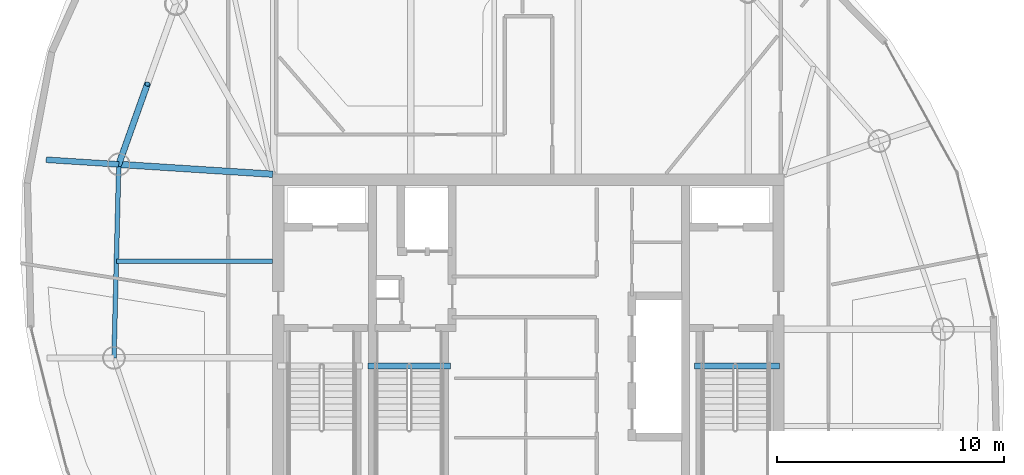
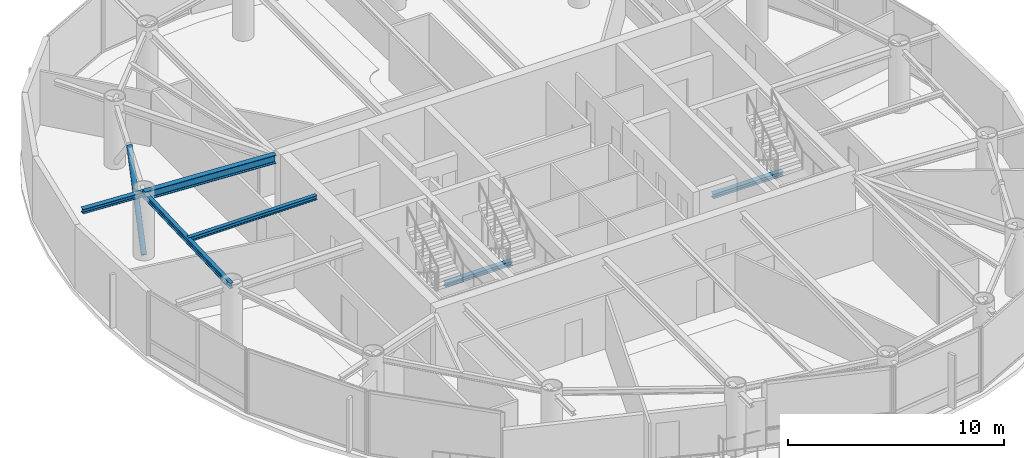
# One storey, part 6 of 20: 6 beams, 1 member.
"""IFC4 building model written with IfcOpenShell, lengths in metres."""

from ifc_helpers import new_model, si_unit, direction, frame, origin, origin_2d, place, context, subcontext, project, spatial, hollow_circle, i_section, extrude, material, material_profile, profile_set, type_object, element, save


model = new_model("IFC4")

# Units and contexts
model_context = context("Model", 3, precision=1e-05, world=origin(), true_north=direction((0.0, 1.0)))
body_context = subcontext(model_context, "Body", "Model", "MODEL_VIEW")
ifc_project = project(units=[si_unit("LENGTHUNIT", "METRE"), si_unit("AREAUNIT", "SQUARE_METRE"), si_unit("VOLUMEUNIT", "CUBIC_METRE"), si_unit("PLANEANGLEUNIT", "RADIAN"), si_unit("MASSUNIT", "GRAM", prefix="KILO")], contexts=[model_context])

# Site, building, storey
site_placement = place(None, origin())
site = spatial("IfcSite", under=ifc_project, at=site_placement, CompositionType="ELEMENT")
building_placement = place(site_placement, origin())
building = spatial("IfcBuilding", under=site, at=building_placement, Name="Bramvorn Convention Spire", CompositionType="ELEMENT")
storey_placement = place(building_placement, frame((0.0, 0.0, 245.89990234375)))
storey = spatial("IfcBuildingStorey", under=building, at=storey_placement, Name="L62", CompositionType="ELEMENT", Elevation=245.89990234375)

# Beams
ifc_material = material(Name="Steel CSA G40.21 Grade 350 (350W)", Category="steel")
ifc_material_profile_1 = material_profile(ifc_material, i_section(OverallWidth=0.201904296875, OverallDepth=0.2470703125, WebThickness=0.00732421875, FlangeThickness=0.010986328125, FilletRadius=0.011962890625, at=origin_2d()))
ifc_profile_set_1 = profile_set([ifc_material_profile_1], Name="Steel CSA G40.21 Grade 350 (350W) - W250X49")
beam_type_1 = type_object("IfcBeamType", Name="BM-W250X49", PredefinedType="JOIST", material=ifc_profile_set_1)
beam_1_placement = place(storey_placement, frame((26.75, 29.626953125, 3.501708984375), z_axis=(-1.0, 0.0, 0.0), x_axis=(0.0, -1.0, 0.0)))
element("IfcBeam", 1, at=beam_1_placement, inside=storey, type_object=beam_type_1, Name="L62 composite floor joist 11", PredefinedType="JOIST", context=body_context, shape_type="SweptSolid", body=[
    extrude(i_section(OverallWidth=0.201904296875, OverallDepth=0.2470703125, WebThickness=0.00732421875, FlangeThickness=0.010986328125, FilletRadius=0.011962890625, at=origin_2d()), origin(), (0.0, 0.0, 1.0), 6.879150390625),
])
ifc_material_profile_2 = material_profile(ifc_material, i_section(OverallWidth=0.25390625, OverallDepth=0.2529296875, WebThickness=0.008544921875, FlangeThickness=0.01416015625, FilletRadius=0.011962890625, at=origin_2d()))
ifc_profile_set_2 = profile_set([ifc_material_profile_2], Name="Steel CSA G40.21 Grade 350 (350W) - W250X73")
beam_type_2 = type_object("IfcBeamType", Name="BM-W250X73", PredefinedType="BEAM", material=ifc_profile_set_2)
beam_2_placement = place(storey_placement, frame((19.976318359375, 33.883544921875, 3.49853515625), z_axis=(-0.997959164695, 0.063855349044, 0.0), x_axis=(-0.063855349044, -0.997959164695, 0.0)))
element("IfcBeam", 2, at=beam_2_placement, inside=storey, type_object=beam_type_2, Name="L62 slab-edge cantilever tip beam MC11", PredefinedType="BEAM", context=body_context, shape_type="SweptSolid", body=[
    extrude(i_section(OverallWidth=0.25390625, OverallDepth=0.2529296875, WebThickness=0.008544921875, FlangeThickness=0.01416015625, FilletRadius=0.011962890625, at=origin_2d()), origin(), (0.0, 0.0, 1.0), 3.2001953125),
])
beam_3_placement = place(storey_placement, frame((45.31005859375, 25.010009765625, -0.12646484375), z_axis=(1.0, 0.0, 0.0), x_axis=(0.0, 1.0, 0.0)))
element("IfcBeam", 3, at=beam_3_placement, inside=storey, type_object=beam_type_2, Name="L62 ST2 stair arrival header beam", PredefinedType="BEAM", context=body_context, shape_type="SweptSolid", body=[
    extrude(i_section(OverallWidth=0.25390625, OverallDepth=0.2529296875, WebThickness=0.008544921875, FlangeThickness=0.01416015625, FilletRadius=0.011962890625, at=origin_2d()), origin(), (0.0, 0.0, 1.0), 3.739990234375),
])
beam_4_placement = place(storey_placement, frame((30.949951171875, 25.010009765625, -0.12646484375), z_axis=(1.0, 0.0, 0.0), x_axis=(0.0, 1.0, 0.0)))
element("IfcBeam", 4, at=beam_4_placement, inside=storey, type_object=beam_type_2, Name="L62 ST3 stair arrival header beam", PredefinedType="BEAM", context=body_context, shape_type="SweptSolid", body=[
    extrude(i_section(OverallWidth=0.25390625, OverallDepth=0.2529296875, WebThickness=0.008544921875, FlangeThickness=0.01416015625, FilletRadius=0.011962890625, at=origin_2d()), origin(), (0.0, 0.0, 1.0), 3.610107421875),
])
ifc_material_profile_3 = material_profile(ifc_material, i_section(OverallWidth=0.202880859375, OverallDepth=0.302978515625, WebThickness=0.007568359375, FlangeThickness=0.01318359375, FilletRadius=0.013916015625, at=origin_2d()))
ifc_profile_set_3 = profile_set([ifc_material_profile_3], Name="Steel CSA G40.21 Grade 350 (350W) - W310X60")
beam_type_3 = type_object("IfcBeamType", Name="BM-W310X60", PredefinedType="JOIST", material=ifc_profile_set_3)
beam_5_placement = place(storey_placement, frame((19.976318359375, 33.883544921875, 3.4736328125), z_axis=(-0.024770853371, -0.999693155335, 0.0), x_axis=(0.999693155335, -0.024770853371, 0.0)))
element("IfcBeam", 5, at=beam_5_placement, inside=storey, type_object=beam_type_3, Name="L62 mega-column ring beam 11", PredefinedType="JOIST", context=body_context, shape_type="SweptSolid", body=[
    extrude(i_section(OverallWidth=0.202880859375, OverallDepth=0.302978515625, WebThickness=0.007568359375, FlangeThickness=0.01318359375, FilletRadius=0.013916015625, at=origin_2d()), origin(), (0.0, 0.0, 1.0), 8.515625),
])
ifc_material_profile_4 = material_profile(ifc_material, i_section(OverallWidth=0.283935546875, OverallDepth=0.47607421875, WebThickness=0.014892578125, FlangeThickness=0.02392578125, FilletRadius=0.01806640625, at=origin_2d()))
ifc_profile_set_4 = profile_set([ifc_material_profile_4], Name="Steel CSA G40.21 Grade 350 (350W) - W460X158")
beam_type_4 = type_object("IfcBeamType", Name="BM-W460X158", PredefinedType="SPANDREL", material=ifc_profile_set_4)
beam_6_placement = place(storey_placement, frame((26.75, 33.449951171875, 3.38720703125), z_axis=(-0.997957536354, 0.063880792379, 0.0), x_axis=(-0.063880792379, -0.997957536354, 0.0)))
element("IfcBeam", 6, at=beam_6_placement, inside=storey, type_object=beam_type_4, Name="L62 radial floor girder MC11", PredefinedType="SPANDREL", context=body_context, shape_type="SweptSolid", body=[
    extrude(i_section(OverallWidth=0.283935546875, OverallDepth=0.47607421875, WebThickness=0.014892578125, FlangeThickness=0.02392578125, FilletRadius=0.01806640625, at=origin_2d()), origin(), (0.0, 0.0, 1.0), 6.78759765625),
])

# Member
ifc_material_profile_5 = material_profile(ifc_material, hollow_circle(Radius=0.136474609375, WallThickness=0.0126953125, at=origin_2d()))
ifc_profile_set_5 = profile_set([ifc_material_profile_5], Name="Steel CSA G40.21 Grade 350 (350W) - CHS273X13")
member_type = type_object("IfcMemberType", Name="MBR-CHS273X13", PredefinedType="BRACE", material=ifc_profile_set_5)
member_placement = place(storey_placement, frame((19.976318359375, 33.883544921875, 0.0), z_axis=(0.241378577718, 0.677030621771, 0.695245222495), x_axis=(-0.941926002824, 0.335820495509, 0.0)))
element("IfcMember", 7, at=member_placement, inside=storey, type_object=member_type, Name="L62 perimeter Gothic lancet brace 10B", PredefinedType="BRACE", context=body_context, shape_type="SweptSolid", body=[
    extrude(hollow_circle(Radius=0.136474609375, WallThickness=0.0126953125, at=origin_2d()), origin(), (0.0, 0.0, 1.0), 5.2138671875),
])

save(model, "model.ifc")
